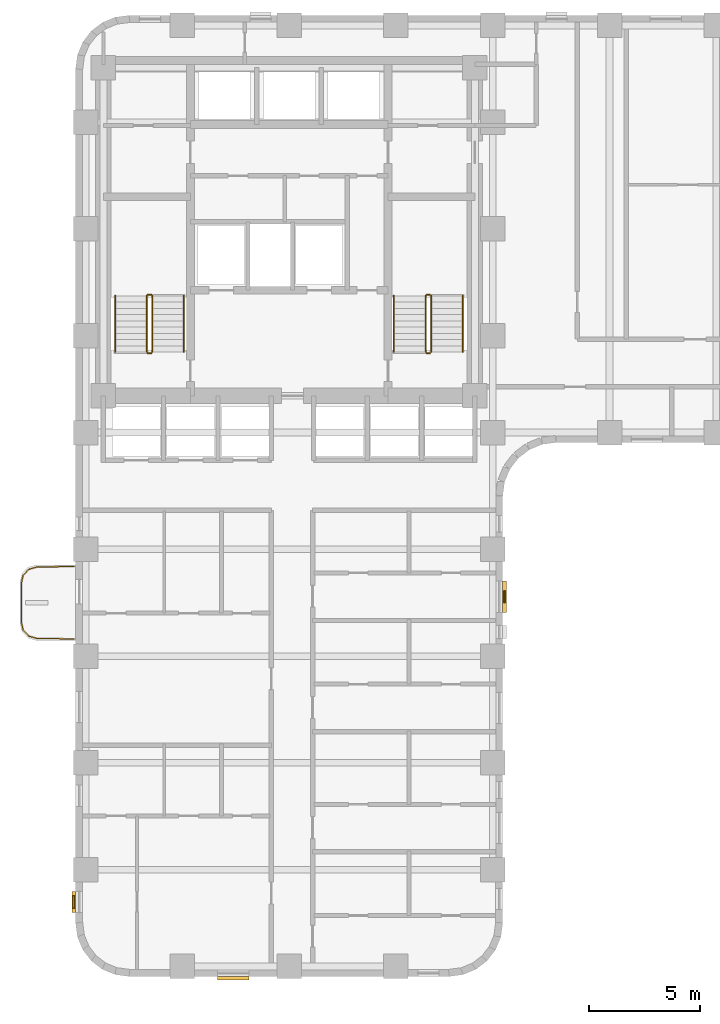
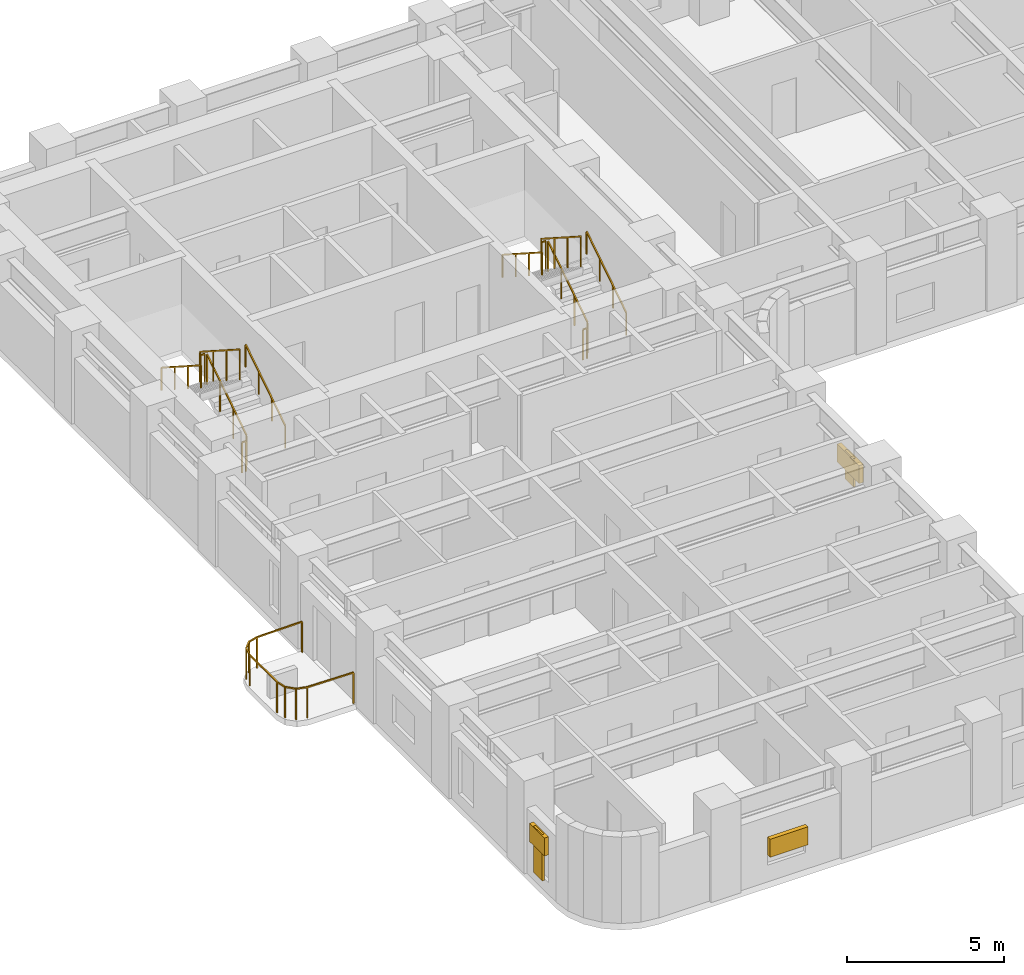
# One storey, part 8 of 11: 13 railings, 5 shading devices.
"""IFC4 building model written with IfcOpenShell, lengths in metres."""

from ifc_helpers import new_model, si_unit, direction, frame, origin, origin_2d, place, context, subcontext, project, spatial, rectangle, extrude, material, type_object, element, save


model = new_model("IFC4")

# Units and contexts
model_context = context("Model", 3, precision=1e-05, world=origin(), true_north=direction((0.0, 1.0)))
body_context = subcontext(model_context, "Body", "Model", "MODEL_VIEW")
ifc_project = project(units=[si_unit("LENGTHUNIT", "METRE"), si_unit("AREAUNIT", "SQUARE_METRE"), si_unit("VOLUMEUNIT", "CUBIC_METRE"), si_unit("PLANEANGLEUNIT", "RADIAN"), si_unit("MASSUNIT", "GRAM", prefix="KILO")], contexts=[model_context])

# Site, building, storey
site_placement = place(None, origin())
site = spatial("IfcSite", under=ifc_project, at=site_placement, CompositionType="ELEMENT")
building_placement = place(site_placement, origin())
building = spatial("IfcBuilding", under=site, at=building_placement, Name="Orvandelia Arch Residences", CompositionType="ELEMENT")
storey_placement = place(building_placement, frame((0.0, 0.0, 64.60009765625)))
storey = spatial("IfcBuildingStorey", under=building, at=storey_placement, Name="L16", CompositionType="ELEMENT", Elevation=64.60009765625)

# Railings
ifc_material_1 = material(Name="Marine-Grade Stainless Steel 316", Category="steel")
railing_type_1 = type_object("IfcRailingType", Name="GRD-BAL-1200", PredefinedType="BALUSTRADE", material=ifc_material_1)
railing_1_placement = place(storey_placement, frame((4.728271484375, 23.23046875, 0.0)))
element("IfcRailing", 1, at=railing_1_placement, inside=storey, type_object=railing_type_1, Name="Safety Balustrade Guard GRD-L16-BAL-L16-W1-1", PredefinedType="BALUSTRADE", context=body_context, shape_type="SweptSolid", body=[
    extrude(rectangle(XDim=0.048095703125, YDim=0.048095703125, at=origin_2d()), frame((0.0, 0.0, 1.19580078125), z_axis=(-0.999834751713, -0.018178813668, 0.0), x_axis=(0.018178813668, -0.999834751713, 0.0)), (0.0, 0.0, 1.0), 1.6787109375),
    extrude(rectangle(XDim=0.048095703125, YDim=0.048095703125, at=origin_2d()), frame((-1.678466796875, -0.030517578125, 1.19580078125), z_axis=(-0.96348920644, -0.267747173792, 0.0), x_axis=(0.267747173792, -0.96348920644, 0.0)), (0.0, 0.0, 1.0), 0.36572265625),
    extrude(rectangle(XDim=0.048095703125, YDim=0.048095703125, at=origin_2d()), frame((-2.03076171875, -0.12841796875, 1.19580078125), z_axis=(-0.688627404251, -0.725115368831, 0.0), x_axis=(0.725115368831, -0.688627404251, 0.0)), (0.0, 0.0, 1.0), 0.367919921875),
    extrude(rectangle(XDim=0.048095703125, YDim=0.048095703125, at=origin_2d()), frame((-2.2841796875, -0.395263671875, 1.19580078125), z_axis=(-0.220461657419, -0.975395641577, 0.0), x_axis=(0.975395641577, -0.220461657419, 0.0)), (0.0, 0.0, 1.0), 0.373291015625),
    extrude(rectangle(XDim=0.048095703125, YDim=0.048095703125, at=origin_2d()), frame((-2.366455078125, -0.75927734375, 1.19580078125), z_axis=(0.0, -1.0, 0.0), x_axis=(1.0, 0.0, 0.0)), (0.0, 0.0, 1.0), 1.742431640625),
    extrude(rectangle(XDim=0.048095703125, YDim=0.048095703125, at=origin_2d()), frame((-2.366455078125, -2.501708984375, 1.19580078125), z_axis=(0.220602419982, -0.975363815352, 0.0), x_axis=(0.975363815352, 0.220602419982, 0.0)), (0.0, 0.0, 1.0), 0.373046875),
    extrude(rectangle(XDim=0.048095703125, YDim=0.048095703125, at=origin_2d()), frame((-2.2841796875, -2.865478515625, 1.19580078125), z_axis=(0.688296224633, -0.725429739642, 0.0), x_axis=(0.725429739642, 0.688296224633, 0.0)), (0.0, 0.0, 1.0), 0.3681640625),
    extrude(rectangle(XDim=0.048095703125, YDim=0.048095703125, at=origin_2d()), frame((-2.03076171875, -3.132568359375, 1.19580078125), z_axis=(0.96348920644, -0.267747173792, 0.0), x_axis=(0.267747173792, 0.96348920644, 0.0)), (0.0, 0.0, 1.0), 0.36572265625),
    extrude(rectangle(XDim=0.048095703125, YDim=0.048095703125, at=origin_2d()), frame((-1.678466796875, -3.23046875, 1.19580078125), z_axis=(0.999834751713, -0.018178813668, 0.0), x_axis=(0.018178813668, 0.999834751713, 0.0)), (0.0, 0.0, 1.0), 1.6787109375),
    extrude(rectangle(XDim=0.0419921875, YDim=0.0419921875, at=origin_2d()), origin(), (0.0, 0.0, 1.0), 1.171875),
    extrude(rectangle(XDim=0.0419921875, YDim=0.0419921875, at=origin_2d()), frame((-1.678466796875, -0.030517578125, 0.0)), (0.0, 0.0, 1.0), 1.171875),
    extrude(rectangle(XDim=0.0419921875, YDim=0.0419921875, at=origin_2d()), frame((-2.03076171875, -0.12841796875, 0.0)), (0.0, 0.0, 1.0), 1.171875),
    extrude(rectangle(XDim=0.0419921875, YDim=0.0419921875, at=origin_2d()), frame((-2.2841796875, -0.395263671875, 0.0)), (0.0, 0.0, 1.0), 1.171875),
    extrude(rectangle(XDim=0.0419921875, YDim=0.0419921875, at=origin_2d()), frame((-2.366455078125, -0.75927734375, 0.0)), (0.0, 0.0, 1.0), 1.171875),
    extrude(rectangle(XDim=0.0419921875, YDim=0.0419921875, at=origin_2d()), frame((-2.366455078125, -2.501708984375, 0.0)), (0.0, 0.0, 1.0), 1.171875),
    extrude(rectangle(XDim=0.0419921875, YDim=0.0419921875, at=origin_2d()), frame((-2.2841796875, -2.865478515625, 0.0)), (0.0, 0.0, 1.0), 1.171875),
    extrude(rectangle(XDim=0.0419921875, YDim=0.0419921875, at=origin_2d()), frame((-2.03076171875, -3.132568359375, 0.0)), (0.0, 0.0, 1.0), 1.171875),
    extrude(rectangle(XDim=0.0419921875, YDim=0.0419921875, at=origin_2d()), frame((-1.678466796875, -3.23046875, 0.0)), (0.0, 0.0, 1.0), 1.171875),
    extrude(rectangle(XDim=0.0419921875, YDim=0.0419921875, at=origin_2d()), frame((0.0, -3.260986328125, 0.0)), (0.0, 0.0, 1.0), 1.171875),
])
ifc_material_2 = material(Name="Brushed Stainless Steel 304", Category="steel")
railing_type_2 = type_object("IfcRailingType", Name="RL-STAIR-GD1120", PredefinedType="GUARDRAIL", material=ifc_material_2)
railing_2_placement = place(storey_placement, frame((8.25, 32.8701171875, 0.179931640625)))
element("IfcRailing", 2, at=railing_2_placement, inside=storey, type_object=railing_type_2, Name="L16 ST-1 stair guard 1", PredefinedType="GUARDRAIL", context=body_context, shape_type="SweptSolid", body=[
    extrude(rectangle(XDim=0.048095703125, YDim=0.048095703125, at=origin_2d()), frame((0.0, 0.0, 1.17578125), z_axis=(0.0, 0.841175827307, 0.540761710511), x_axis=(-1.0, 0.0, 0.0)), (0.0, 0.0, 1.0), 2.99560546875),
    extrude(rectangle(XDim=0.0419921875, YDim=0.0419921875, at=origin_2d()), origin(), (0.0, 0.0, 1.0), 1.15185546875),
    extrude(rectangle(XDim=0.0419921875, YDim=0.0419921875, at=origin_2d()), frame((0.0, 0.83984375, 0.5400390625)), (0.0, 0.0, 1.0), 1.15185546875),
    extrude(rectangle(XDim=0.0419921875, YDim=0.0419921875, at=origin_2d()), frame((0.0, 1.679931640625, 1.079833984375)), (0.0, 0.0, 1.0), 1.15185546875),
    extrude(rectangle(XDim=0.0419921875, YDim=0.0419921875, at=origin_2d()), frame((0.0, 2.519775390625, 1.619873046875)), (0.0, 0.0, 1.0), 1.15185546875),
])
railing_3_placement = place(storey_placement, frame((8.199951171875, 35.43994140625, 1.7998046875)))
element("IfcRailing", 3, at=railing_3_placement, inside=storey, type_object=railing_type_2, Name="L16 ST-1 stair guard 2", PredefinedType="GUARDRAIL", context=body_context, shape_type="SweptSolid", body=[
    extrude(rectangle(XDim=0.048095703125, YDim=0.048095703125, at=origin_2d()), frame((0.0, 0.0, 1.17578125), z_axis=(-1.0, 0.0, 0.0), x_axis=(0.0, -1.0, 0.0)), (0.0, 0.0, 1.0), 0.14990234375),
    extrude(rectangle(XDim=0.0419921875, YDim=0.0419921875, at=origin_2d()), origin(), (0.0, 0.0, 1.0), 1.15185546875),
    extrude(rectangle(XDim=0.0419921875, YDim=0.0419921875, at=origin_2d()), frame((-0.14990234375, 0.0, 0.0)), (0.0, 0.0, 1.0), 1.15185546875),
])
railing_4_placement = place(storey_placement, frame((8.0, 35.389892578125, 1.97998046875)))
element("IfcRailing", 4, at=railing_4_placement, inside=storey, type_object=railing_type_2, Name="L16 ST-1 stair guard 3", PredefinedType="GUARDRAIL", context=body_context, shape_type="SweptSolid", body=[
    extrude(rectangle(XDim=0.048095703125, YDim=0.048095703125, at=origin_2d()), frame((0.0, 0.0, 1.17578125), z_axis=(0.0, -0.841175827307, 0.540761710511), x_axis=(1.0, 0.0, 0.0)), (0.0, 0.0, 1.0), 2.99560546875),
    extrude(rectangle(XDim=0.0419921875, YDim=0.0419921875, at=origin_2d()), origin(), (0.0, 0.0, 1.0), 1.15185546875),
    extrude(rectangle(XDim=0.0419921875, YDim=0.0419921875, at=origin_2d()), frame((0.0, -0.83984375, 0.5400390625)), (0.0, 0.0, 1.0), 1.15185546875),
    extrude(rectangle(XDim=0.0419921875, YDim=0.0419921875, at=origin_2d()), frame((0.0, -1.679931640625, 1.079833984375)), (0.0, 0.0, 1.0), 1.15185546875),
    extrude(rectangle(XDim=0.0419921875, YDim=0.0419921875, at=origin_2d()), frame((0.0, -2.519775390625, 1.619873046875)), (0.0, 0.0, 1.0), 1.15185546875),
])
railing_5_placement = place(storey_placement, frame((8.199951171875, 32.820068359375, 0.0)))
element("IfcRailing", 5, at=railing_5_placement, inside=storey, type_object=railing_type_2, Name="L16 ST-1 stair guard 4", PredefinedType="GUARDRAIL", context=body_context, shape_type="SweptSolid", body=[
    extrude(rectangle(XDim=0.048095703125, YDim=0.048095703125, at=origin_2d()), frame((0.0, 0.0, 1.17578125), z_axis=(-1.0, 0.0, 0.0), x_axis=(0.0, -1.0, 0.0)), (0.0, 0.0, 1.0), 0.14990234375),
    extrude(rectangle(XDim=0.0419921875, YDim=0.0419921875, at=origin_2d()), origin(), (0.0, 0.0, 1.0), 1.15185546875),
    extrude(rectangle(XDim=0.0419921875, YDim=0.0419921875, at=origin_2d()), frame((-0.14990234375, 0.0, 0.0)), (0.0, 0.0, 1.0), 1.15185546875),
])
railing_6_placement = place(storey_placement, frame((20.780029296875, 32.8701171875, 0.179931640625)))
element("IfcRailing", 6, at=railing_6_placement, inside=storey, type_object=railing_type_2, Name="L16 ST-2 stair guard 1", PredefinedType="GUARDRAIL", context=body_context, shape_type="SweptSolid", body=[
    extrude(rectangle(XDim=0.048095703125, YDim=0.048095703125, at=origin_2d()), frame((0.0, 0.0, 1.17578125), z_axis=(0.0, 0.841175827307, 0.540761710511), x_axis=(-1.0, 0.0, 0.0)), (0.0, 0.0, 1.0), 2.99560546875),
    extrude(rectangle(XDim=0.0419921875, YDim=0.0419921875, at=origin_2d()), origin(), (0.0, 0.0, 1.0), 1.15185546875),
    extrude(rectangle(XDim=0.0419921875, YDim=0.0419921875, at=origin_2d()), frame((0.0, 0.83984375, 0.5400390625)), (0.0, 0.0, 1.0), 1.15185546875),
    extrude(rectangle(XDim=0.0419921875, YDim=0.0419921875, at=origin_2d()), frame((0.0, 1.679931640625, 1.079833984375)), (0.0, 0.0, 1.0), 1.15185546875),
    extrude(rectangle(XDim=0.0419921875, YDim=0.0419921875, at=origin_2d()), frame((0.0, 2.519775390625, 1.619873046875)), (0.0, 0.0, 1.0), 1.15185546875),
])
railing_7_placement = place(storey_placement, frame((20.72998046875, 35.43994140625, 1.7998046875)))
element("IfcRailing", 7, at=railing_7_placement, inside=storey, type_object=railing_type_2, Name="L16 ST-2 stair guard 2", PredefinedType="GUARDRAIL", context=body_context, shape_type="SweptSolid", body=[
    extrude(rectangle(XDim=0.048095703125, YDim=0.048095703125, at=origin_2d()), frame((0.0, 0.0, 1.17578125), z_axis=(-1.0, 0.0, 0.0), x_axis=(0.0, -1.0, 0.0)), (0.0, 0.0, 1.0), 0.14990234375),
    extrude(rectangle(XDim=0.0419921875, YDim=0.0419921875, at=origin_2d()), origin(), (0.0, 0.0, 1.0), 1.15185546875),
    extrude(rectangle(XDim=0.0419921875, YDim=0.0419921875, at=origin_2d()), frame((-0.14990234375, 0.0, 0.0)), (0.0, 0.0, 1.0), 1.15185546875),
])
railing_8_placement = place(storey_placement, frame((20.530029296875, 35.389892578125, 1.97998046875)))
element("IfcRailing", 8, at=railing_8_placement, inside=storey, type_object=railing_type_2, Name="L16 ST-2 stair guard 3", PredefinedType="GUARDRAIL", context=body_context, shape_type="SweptSolid", body=[
    extrude(rectangle(XDim=0.048095703125, YDim=0.048095703125, at=origin_2d()), frame((0.0, 0.0, 1.17578125), z_axis=(0.0, -0.841175827307, 0.540761710511), x_axis=(1.0, 0.0, 0.0)), (0.0, 0.0, 1.0), 2.99560546875),
    extrude(rectangle(XDim=0.0419921875, YDim=0.0419921875, at=origin_2d()), origin(), (0.0, 0.0, 1.0), 1.15185546875),
    extrude(rectangle(XDim=0.0419921875, YDim=0.0419921875, at=origin_2d()), frame((0.0, -0.83984375, 0.5400390625)), (0.0, 0.0, 1.0), 1.15185546875),
    extrude(rectangle(XDim=0.0419921875, YDim=0.0419921875, at=origin_2d()), frame((0.0, -1.679931640625, 1.079833984375)), (0.0, 0.0, 1.0), 1.15185546875),
    extrude(rectangle(XDim=0.0419921875, YDim=0.0419921875, at=origin_2d()), frame((0.0, -2.519775390625, 1.619873046875)), (0.0, 0.0, 1.0), 1.15185546875),
])
railing_9_placement = place(storey_placement, frame((20.72998046875, 32.820068359375, 0.0)))
element("IfcRailing", 9, at=railing_9_placement, inside=storey, type_object=railing_type_2, Name="L16 ST-2 stair guard 4", PredefinedType="GUARDRAIL", context=body_context, shape_type="SweptSolid", body=[
    extrude(rectangle(XDim=0.048095703125, YDim=0.048095703125, at=origin_2d()), frame((0.0, 0.0, 1.17578125), z_axis=(-1.0, 0.0, 0.0), x_axis=(0.0, -1.0, 0.0)), (0.0, 0.0, 1.0), 0.14990234375),
    extrude(rectangle(XDim=0.0419921875, YDim=0.0419921875, at=origin_2d()), origin(), (0.0, 0.0, 1.0), 1.15185546875),
    extrude(rectangle(XDim=0.0419921875, YDim=0.0419921875, at=origin_2d()), frame((-0.14990234375, 0.0, 0.0)), (0.0, 0.0, 1.0), 1.15185546875),
])
railing_type_3 = type_object("IfcRailingType", Name="RL-STAIR-HR920", PredefinedType="HANDRAIL", material=ifc_material_2)
railing_10_placement = place(storey_placement, frame((9.669921875, 32.8701171875, 0.35986328125)))
element("IfcRailing", 10, at=railing_10_placement, inside=storey, type_object=railing_type_3, Name="L16 ST-1 stair handrail 1", PredefinedType="HANDRAIL", context=body_context, shape_type="SweptSolid", body=[
    extrude(rectangle(XDim=0.048095703125, YDim=0.048095703125, at=origin_2d()), frame((0.0, 0.0, 0.8759765625), z_axis=(0.0, 0.841138753965, 0.540819375188), x_axis=(-1.0, 0.0, 0.0)), (0.0, 0.0, 1.0), 2.99560546875),
    extrude(rectangle(XDim=0.0419921875, YDim=0.0419921875, at=origin_2d()), origin(), (0.0, 0.0, 1.0), 0.851806640625),
    extrude(rectangle(XDim=0.0419921875, YDim=0.0419921875, at=origin_2d()), frame((0.0, 0.83984375, 0.5400390625)), (0.0, 0.0, 1.0), 0.851806640625),
    extrude(rectangle(XDim=0.0419921875, YDim=0.0419921875, at=origin_2d()), frame((0.0, 1.679931640625, 1.080078125)), (0.0, 0.0, 1.0), 0.851806640625),
    extrude(rectangle(XDim=0.0419921875, YDim=0.0419921875, at=origin_2d()), frame((0.0, 2.519775390625, 1.6201171875)), (0.0, 0.0, 1.0), 0.851806640625),
])
railing_11_placement = place(storey_placement, frame((6.580078125, 35.389892578125, 2.159912109375)))
element("IfcRailing", 11, at=railing_11_placement, inside=storey, type_object=railing_type_3, Name="L16 ST-1 stair handrail 2", PredefinedType="HANDRAIL", context=body_context, shape_type="SweptSolid", body=[
    extrude(rectangle(XDim=0.048095703125, YDim=0.048095703125, at=origin_2d()), frame((0.0, 0.0, 0.8759765625), z_axis=(0.0, -0.841175827307, 0.540761710511), x_axis=(1.0, 0.0, 0.0)), (0.0, 0.0, 1.0), 2.99560546875),
    extrude(rectangle(XDim=0.0419921875, YDim=0.0419921875, at=origin_2d()), origin(), (0.0, 0.0, 1.0), 0.851806640625),
    extrude(rectangle(XDim=0.0419921875, YDim=0.0419921875, at=origin_2d()), frame((0.0, -0.83984375, 0.5400390625)), (0.0, 0.0, 1.0), 0.851806640625),
    extrude(rectangle(XDim=0.0419921875, YDim=0.0419921875, at=origin_2d()), frame((0.0, -1.679931640625, 1.079833984375)), (0.0, 0.0, 1.0), 0.851806640625),
    extrude(rectangle(XDim=0.0419921875, YDim=0.0419921875, at=origin_2d()), frame((0.0, -2.519775390625, 1.619873046875)), (0.0, 0.0, 1.0), 0.851806640625),
])
railing_12_placement = place(storey_placement, frame((22.199951171875, 32.8701171875, 0.35986328125)))
element("IfcRailing", 12, at=railing_12_placement, inside=storey, type_object=railing_type_3, Name="L16 ST-2 stair handrail 1", PredefinedType="HANDRAIL", context=body_context, shape_type="SweptSolid", body=[
    extrude(rectangle(XDim=0.048095703125, YDim=0.048095703125, at=origin_2d()), frame((0.0, 0.0, 0.8759765625), z_axis=(0.0, 0.841138753965, 0.540819375188), x_axis=(-1.0, 0.0, 0.0)), (0.0, 0.0, 1.0), 2.99560546875),
    extrude(rectangle(XDim=0.0419921875, YDim=0.0419921875, at=origin_2d()), origin(), (0.0, 0.0, 1.0), 0.851806640625),
    extrude(rectangle(XDim=0.0419921875, YDim=0.0419921875, at=origin_2d()), frame((0.0, 0.83984375, 0.5400390625)), (0.0, 0.0, 1.0), 0.851806640625),
    extrude(rectangle(XDim=0.0419921875, YDim=0.0419921875, at=origin_2d()), frame((0.0, 1.679931640625, 1.080078125)), (0.0, 0.0, 1.0), 0.851806640625),
    extrude(rectangle(XDim=0.0419921875, YDim=0.0419921875, at=origin_2d()), frame((0.0, 2.519775390625, 1.6201171875)), (0.0, 0.0, 1.0), 0.851806640625),
])
railing_13_placement = place(storey_placement, frame((19.110107421875, 35.389892578125, 2.159912109375)))
element("IfcRailing", 13, at=railing_13_placement, inside=storey, type_object=railing_type_3, Name="L16 ST-2 stair handrail 2", PredefinedType="HANDRAIL", context=body_context, shape_type="SweptSolid", body=[
    extrude(rectangle(XDim=0.048095703125, YDim=0.048095703125, at=origin_2d()), frame((0.0, 0.0, 0.8759765625), z_axis=(0.0, -0.841175827307, 0.540761710511), x_axis=(1.0, 0.0, 0.0)), (0.0, 0.0, 1.0), 2.99560546875),
    extrude(rectangle(XDim=0.0419921875, YDim=0.0419921875, at=origin_2d()), origin(), (0.0, 0.0, 1.0), 0.851806640625),
    extrude(rectangle(XDim=0.0419921875, YDim=0.0419921875, at=origin_2d()), frame((0.0, -0.83984375, 0.5400390625)), (0.0, 0.0, 1.0), 0.851806640625),
    extrude(rectangle(XDim=0.0419921875, YDim=0.0419921875, at=origin_2d()), frame((0.0, -1.679931640625, 1.079833984375)), (0.0, 0.0, 1.0), 0.851806640625),
    extrude(rectangle(XDim=0.0419921875, YDim=0.0419921875, at=origin_2d()), frame((0.0, -2.519775390625, 1.619873046875)), (0.0, 0.0, 1.0), 0.851806640625),
])

# Shading devices
ifc_material_3 = material(Name="Anodised Champagne-Bronze Extruded Aluminium", Category="aluminium")
shading_device_type_1 = type_object("IfcShadingDeviceType", Name="SHD-JALOUSIE-SCREEN", PredefinedType="JALOUSIE", material=ifc_material_3)
for number, where, z_axis, x_axis, name in (
    (14, (24.080078125, 21.8701171875, 1.0498046875), (0.0, 0.0, 1.0), (0.0, -1.0, 0.0), "Bronze Jalousie Sun-Shade L16-006"),
    (15, (11.885009765625, 4.719970703125, 1.0498046875), (0.0, 0.0, 1.0), (-1.0, 0.0, 0.0), "Bronze Jalousie Sun-Shade L16-008"),
):
    element("IfcShadingDevice", number, at=place(storey_placement, frame(where, z_axis=z_axis, x_axis=x_axis)), inside=storey, type_object=shading_device_type_1, Name=name, PredefinedType="JALOUSIE", context=body_context, shape_type="SweptSolid", body=[
        extrude(rectangle(XDim=1.39990234375, YDim=0.159912109375, at=origin_2d()), origin(), (0.0, 0.0, 1.0), 0.699951171875),
    ])
shading_device_1_placement = place(storey_placement, frame((4.719970703125, 8.14501953125, 1.5498046875), z_axis=(0.0, 0.0, 1.0), x_axis=(0.0, 1.0, 0.0)))
element("IfcShadingDevice", 16, at=shading_device_1_placement, inside=storey, type_object=shading_device_type_1, Name="Bronze Jalousie Sun-Shade L16-009", PredefinedType="JALOUSIE", context=body_context, shape_type="SweptSolid", body=[
    extrude(rectangle(XDim=0.949951171875, YDim=0.159912109375, at=origin_2d()), origin(), (0.0, 0.0, 1.0), 0.699951171875),
])
ifc_material_4 = material(Name="Marine-Grade Perforated Aluminium Storm Shutter", Category="aluminium")
shading_device_type_2 = type_object("IfcShadingDeviceType", Name="SHD-STORM-SHUTTER", PredefinedType="SHUTTER", material=ifc_material_4)
shading_device_2_placement = place(storey_placement, frame((24.080078125, 21.8701171875, 0.64990234375), z_axis=(0.0, 0.0, 1.0), x_axis=(0.0, -1.0, 0.0)))
element("IfcShadingDevice", 17, at=shading_device_2_placement, inside=storey, type_object=shading_device_type_2, Name="Operable Typhoon Storm Shutter L16-006", PredefinedType="SHUTTER", context=body_context, shape_type="SweptSolid", body=[
    extrude(rectangle(XDim=0.550048828125, YDim=0.080078125, at=origin_2d()), origin(), (0.0, 0.0, 1.0), 1.10009765625),
])
shading_device_3_placement = place(storey_placement, frame((4.719970703125, 8.14501953125, 0.44970703125), z_axis=(0.0, 0.0, 1.0), x_axis=(0.0, 1.0, 0.0)))
element("IfcShadingDevice", 18, at=shading_device_3_placement, inside=storey, type_object=shading_device_type_2, Name="Operable Typhoon Storm Shutter L16-009", PredefinedType="SHUTTER", context=body_context, shape_type="SweptSolid", body=[
    extrude(rectangle(XDim=0.550048828125, YDim=0.080078125, at=origin_2d()), origin(), (0.0, 0.0, 1.0), 1.800048828125),
])

save(model, "model.ifc")
